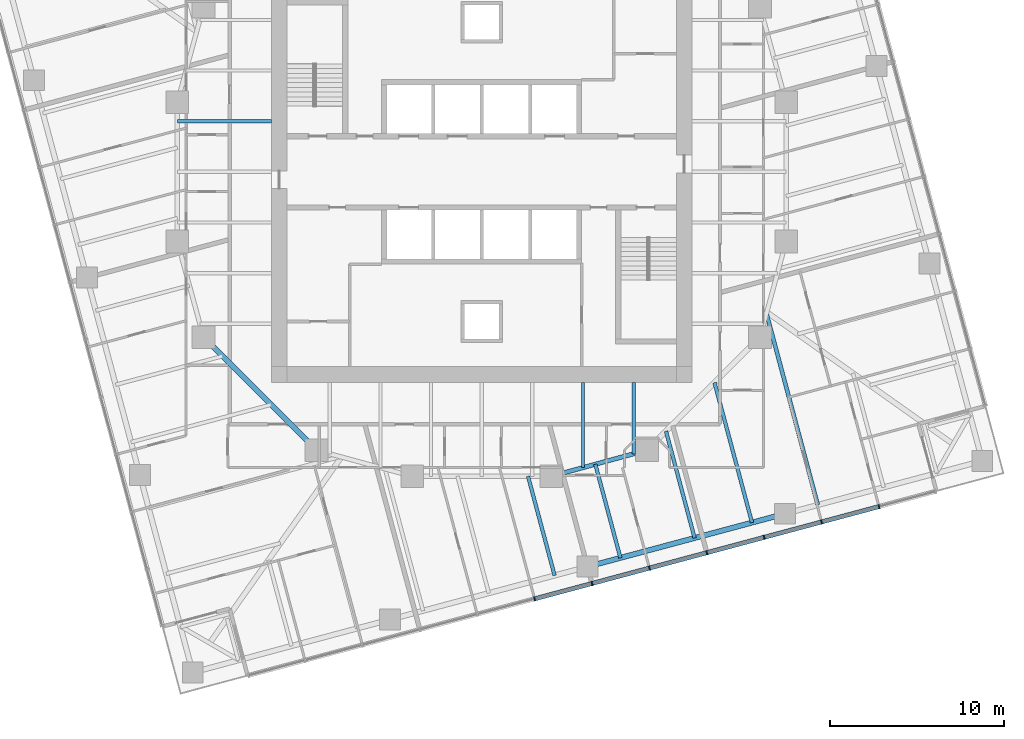
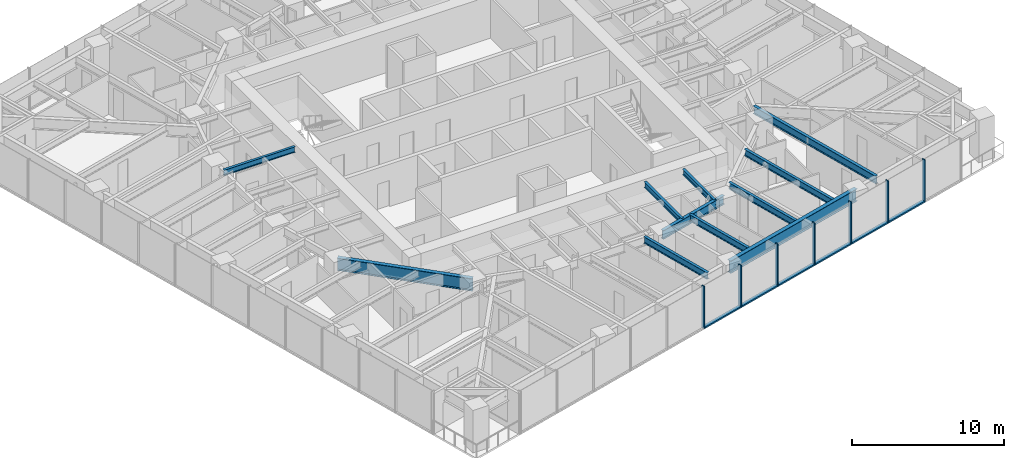
# One storey, part 3 of 14: 13 members, 11 beams, 1 element without a shape of its own.
"""IFC4 building model written with IfcOpenShell, lengths in metres."""

from ifc_helpers import new_model, si_unit, direction, frame, origin, origin_2d, place, context, subcontext, project, spatial, rectangle, i_section, extrude, material, material_profile, profile_set, type_object, element, aggregate, save


model = new_model("IFC4")

# Units and contexts
model_context = context("Model", 3, precision=1e-05, world=origin(), true_north=direction((0.0, 1.0)))
body_context = subcontext(model_context, "Body", "Model", "MODEL_VIEW")
ifc_project = project(units=[si_unit("LENGTHUNIT", "METRE"), si_unit("AREAUNIT", "SQUARE_METRE"), si_unit("VOLUMEUNIT", "CUBIC_METRE"), si_unit("PLANEANGLEUNIT", "RADIAN"), si_unit("MASSUNIT", "GRAM", prefix="KILO")], contexts=[model_context])

# Site, building, storey
site_placement = place(None, origin())
site = spatial("IfcSite", under=ifc_project, at=site_placement, CompositionType="ELEMENT")
building_placement = place(site_placement, origin())
building = spatial("IfcBuilding", under=site, at=building_placement, Name="Torsade Residences", CompositionType="ELEMENT")
storey_placement = place(building_placement, frame((0.0, 0.0, 128.60009765625)))
storey = spatial("IfcBuildingStorey", under=building, at=storey_placement, Name="L35", CompositionType="ELEMENT", Elevation=128.60009765625)

# Beams
ifc_material_1 = material(Name="Steel grade 300", Category="steel")
ifc_material_profile_1 = material_profile(ifc_material_1, i_section(OverallWidth=0.300048828125, OverallDepth=1.0, WebThickness=0.01611328125, FlangeThickness=0.028076171875, at=origin_2d()), Name="1000WB215")
ifc_profile_set_1 = profile_set([ifc_material_profile_1], Name="Steel grade 300")
beam_type_1 = type_object("IfcBeamType", Name="EDGE BEAM 1000WB215", PredefinedType="SPANDREL", material=ifc_profile_set_1)
beam_1_placement = place(storey_placement, frame((46.082275390625, 7.30078125, 2.75), z_axis=(0.965928018634, 0.258810863021, 0.0), x_axis=(-0.258810863021, 0.965928018634, 0.0)))
element("IfcBeam", 1, at=beam_1_placement, inside=storey, type_object=beam_type_1, Name="Edge beam 03 L36", PredefinedType="SPANDREL", context=body_context, shape_type="SweptSolid", body=[
    extrude(i_section(OverallWidth=0.300048828125, OverallDepth=1.0, WebThickness=0.01611328125, FlangeThickness=0.028076171875, at=origin_2d()), origin(), (0.0, 0.0, 1.0), 11.75),
])
ifc_material_2 = material(Name="Steel grade 300", Category="steel")
ifc_material_profile_2 = material_profile(ifc_material_2, i_section(OverallWidth=0.18994140625, OverallDepth=0.4541015625, WebThickness=0.008544921875, FlangeThickness=0.0126953125, FilletRadius=0.011474609375, at=origin_2d()), Name="460UB67.1")
ifc_profile_set_2 = profile_set([ifc_material_profile_2], Name="Steel grade 300")
beam_type_2 = type_object("IfcBeamType", Name="INNER FLOOR BEAM 460UB67.1", PredefinedType="JOIST", material=ifc_profile_set_2)
beam_2_placement = place(storey_placement, frame((48.737548828125, 17.89990234375, 3.02294921875), z_axis=(0.0, -1.0, 0.0), x_axis=(1.0, 0.0, 0.0)))
element("IfcBeam", 2, at=beam_2_placement, inside=storey, type_object=beam_type_2, Name="Inner floor beam IS01 L36", PredefinedType="JOIST", context=body_context, shape_type="SweptSolid", body=[
    extrude(i_section(OverallWidth=0.18994140625, OverallDepth=0.4541015625, WebThickness=0.008544921875, FlangeThickness=0.0126953125, FilletRadius=0.011474609375, at=origin_2d()), origin(), (0.0, 0.0, 1.0), 4.10791015625),
])
beam_3_placement = place(storey_placement, frame((45.824951171875, 17.89990234375, 3.02294921875), z_axis=(0.0, -1.0, 0.0), x_axis=(1.0, 0.0, 0.0)))
element("IfcBeam", 3, at=beam_3_placement, inside=storey, type_object=beam_type_2, Name="Inner floor beam IS02 L36", PredefinedType="JOIST", context=body_context, shape_type="SweptSolid", body=[
    extrude(i_section(OverallWidth=0.18994140625, OverallDepth=0.4541015625, WebThickness=0.008544921875, FlangeThickness=0.0126953125, FilletRadius=0.011474609375, at=origin_2d()), origin(), (0.0, 0.0, 1.0), 4.902099609375),
])
beam_4_placement = place(storey_placement, frame((27.89990234375, 32.91259765625, 3.02294921875), z_axis=(-1.0, 0.0, 0.0), x_axis=(0.0, -1.0, 0.0)))
element("IfcBeam", 4, at=beam_4_placement, inside=storey, type_object=beam_type_2, Name="Inner floor beam IW03 L36", PredefinedType="JOIST", context=body_context, shape_type="SweptSolid", body=[
    extrude(i_section(OverallWidth=0.18994140625, OverallDepth=0.4541015625, WebThickness=0.008544921875, FlangeThickness=0.0126953125, FilletRadius=0.011474609375, at=origin_2d()), origin(), (0.0, 0.0, 1.0), 5.39990234375),
])

# Curtain wall, members
ifc_material_3 = material(Name="Aluminium and glass", Category="aluminium")
curtain_wall_type = type_object("IfcCurtainWallType", Name="FRITTED GLASS CURTAIN WALL MID ZONE", PredefinedType="NOTDEFINED", material=ifc_material_3)
curtain_wall_placement = place(storey_placement, origin())
curtain_wall = element("IfcCurtainWall", 5, at=curtain_wall_placement, inside=storey, type_object=curtain_wall_type, Name="Curtain wall L35 face 1", PredefinedType="NOTDEFINED")
ifc_material_4 = material(Name="Aluminium mullion", Category="aluminium")
ifc_material_profile_3 = material_profile(ifc_material_4, rectangle(XDim=0.25, YDim=0.080078125, at=origin_2d()), Name="MID ZONE CURTAIN WALL MULLION 250x80")
ifc_profile_set_3 = profile_set([ifc_material_profile_3], Name="Aluminium mullion")
member_type_1 = type_object("IfcMemberType", Name="MID ZONE CURTAIN WALL MULLION 250x80", PredefinedType="MULLION", material=ifc_profile_set_3)
member_1_placement = place(storey_placement, frame((43.040771484375, 5.450439453125, 0.0), z_axis=(0.0, 0.0, 1.0), x_axis=(-0.258819047783, 0.965925825571, 0.0)))
member_1 = element("IfcMember", 6, at=member_1_placement, type_object=member_type_1, Name="Mullion 6", PredefinedType="MULLION", context=body_context, shape_type="SweptSolid", body=[
    extrude(rectangle(XDim=0.25, YDim=0.080078125, at=origin_2d()), origin(), (0.0, 0.0, 1.0), 3.39990234375),
])
member_2_placement = place(storey_placement, frame((46.341064453125, 6.334716796875, 0.0), z_axis=(0.0, 0.0, 1.0), x_axis=(-0.258819047783, 0.965925825571, 0.0)))
member_2 = element("IfcMember", 7, at=member_2_placement, type_object=member_type_1, Name="Mullion 7", PredefinedType="MULLION", context=body_context, shape_type="SweptSolid", body=[
    extrude(rectangle(XDim=0.25, YDim=0.080078125, at=origin_2d()), origin(), (0.0, 0.0, 1.0), 3.39990234375),
])
member_3_placement = place(storey_placement, frame((49.641357421875, 7.218994140625, 0.0), z_axis=(0.0, 0.0, 1.0), x_axis=(-0.258819047783, 0.965925825571, 0.0)))
member_3 = element("IfcMember", 8, at=member_3_placement, type_object=member_type_1, Name="Mullion 8", PredefinedType="MULLION", context=body_context, shape_type="SweptSolid", body=[
    extrude(rectangle(XDim=0.25, YDim=0.080078125, at=origin_2d()), origin(), (0.0, 0.0, 1.0), 3.39990234375),
])
member_4_placement = place(storey_placement, frame((52.941650390625, 8.103515625, 0.0), z_axis=(0.0, 0.0, 1.0), x_axis=(-0.258819047783, 0.965925825571, 0.0)))
member_4 = element("IfcMember", 9, at=member_4_placement, type_object=member_type_1, Name="Mullion 9", PredefinedType="MULLION", context=body_context, shape_type="SweptSolid", body=[
    extrude(rectangle(XDim=0.25, YDim=0.080078125, at=origin_2d()), origin(), (0.0, 0.0, 1.0), 3.39990234375),
])
member_5_placement = place(storey_placement, frame((56.24169921875, 8.98779296875, 0.0), z_axis=(0.0, 0.0, 1.0), x_axis=(-0.258819047783, 0.965925825571, 0.0)))
member_5 = element("IfcMember", 10, at=member_5_placement, type_object=member_type_1, Name="Mullion 10", PredefinedType="MULLION", context=body_context, shape_type="SweptSolid", body=[
    extrude(rectangle(XDim=0.25, YDim=0.080078125, at=origin_2d()), origin(), (0.0, 0.0, 1.0), 3.39990234375),
])
member_6_placement = place(storey_placement, frame((59.5419921875, 9.8720703125, 0.0), z_axis=(0.0, 0.0, 1.0), x_axis=(-0.258819047783, 0.965925825571, 0.0)))
member_6 = element("IfcMember", 11, at=member_6_placement, type_object=member_type_1, Name="Mullion 11", PredefinedType="MULLION", context=body_context, shape_type="SweptSolid", body=[
    extrude(rectangle(XDim=0.25, YDim=0.080078125, at=origin_2d()), origin(), (0.0, 0.0, 1.0), 3.39990234375),
])
member_7_placement = place(storey_placement, frame((62.84228515625, 10.75634765625, 0.0), z_axis=(0.0, 0.0, 1.0), x_axis=(-0.258819047783, 0.965925825571, 0.0)))
member_7 = element("IfcMember", 12, at=member_7_placement, type_object=member_type_1, Name="Mullion 12", PredefinedType="MULLION", context=body_context, shape_type="SweptSolid", body=[
    extrude(rectangle(XDim=0.25, YDim=0.080078125, at=origin_2d()), origin(), (0.0, 0.0, 1.0), 3.39990234375),
])
ifc_material_5 = material(Name="Aluminium transom", Category="aluminium")
ifc_material_profile_4 = material_profile(ifc_material_5, rectangle(XDim=0.25, YDim=0.110107421875, at=origin_2d()), Name="MID ZONE CURTAIN WALL TRANSOM 250x110")
ifc_profile_set_4 = profile_set([ifc_material_profile_4], Name="Aluminium transom")
member_type_2 = type_object("IfcMemberType", Name="MID ZONE CURTAIN WALL TRANSOM 250x110", PredefinedType="USERDEFINED", material=ifc_profile_set_4)
member_8_placement = place(storey_placement, frame((43.079345703125, 5.4609375, 0.054931640625), z_axis=(0.965934335648, 0.258787285653, 0.0), x_axis=(-0.258787285653, 0.965934335648, 0.0)))
member_8 = element("IfcMember", 13, at=member_8_placement, type_object=member_type_2, Name="Transom 6.1", ObjectType="TRANSOM", PredefinedType="USERDEFINED", context=body_context, shape_type="SweptSolid", body=[
    extrude(rectangle(XDim=0.25, YDim=0.110107421875, at=origin_2d()), origin(), (0.0, 0.0, 1.0), 3.3369140625),
])
member_9_placement = place(storey_placement, frame((46.379638671875, 6.34521484375, 0.054931640625), z_axis=(0.965934335648, 0.258787285653, 0.0), x_axis=(-0.258787285653, 0.965934335648, 0.0)))
member_9 = element("IfcMember", 14, at=member_9_placement, type_object=member_type_2, Name="Transom 7.1", ObjectType="TRANSOM", PredefinedType="USERDEFINED", context=body_context, shape_type="SweptSolid", body=[
    extrude(rectangle(XDim=0.25, YDim=0.110107421875, at=origin_2d()), origin(), (0.0, 0.0, 1.0), 3.3369140625),
])
member_10_placement = place(storey_placement, frame((49.679931640625, 7.2294921875, 0.054931640625), z_axis=(0.965929435155, 0.258805576255, 0.0), x_axis=(-0.258805576255, 0.965929435155, 0.0)))
member_10 = element("IfcMember", 15, at=member_10_placement, type_object=member_type_2, Name="Transom 8.1", ObjectType="TRANSOM", PredefinedType="USERDEFINED", context=body_context, shape_type="SweptSolid", body=[
    extrude(rectangle(XDim=0.25, YDim=0.110107421875, at=origin_2d()), origin(), (0.0, 0.0, 1.0), 3.336669921875),
])
member_11_placement = place(storey_placement, frame((52.980224609375, 8.11376953125, 0.054931640625), z_axis=(0.965929435155, 0.258805576255, 0.0), x_axis=(-0.258805576255, 0.965929435155, 0.0)))
member_11 = element("IfcMember", 16, at=member_11_placement, type_object=member_type_2, Name="Transom 9.1", ObjectType="TRANSOM", PredefinedType="USERDEFINED", context=body_context, shape_type="SweptSolid", body=[
    extrude(rectangle(XDim=0.25, YDim=0.110107421875, at=origin_2d()), origin(), (0.0, 0.0, 1.0), 3.336669921875),
])
member_12_placement = place(storey_placement, frame((56.280517578125, 8.998046875, 0.054931640625), z_axis=(0.965929435155, 0.258805576255, 0.0), x_axis=(-0.258805576255, 0.965929435155, 0.0)))
member_12 = element("IfcMember", 17, at=member_12_placement, type_object=member_type_2, Name="Transom 10.1", ObjectType="TRANSOM", PredefinedType="USERDEFINED", context=body_context, shape_type="SweptSolid", body=[
    extrude(rectangle(XDim=0.25, YDim=0.110107421875, at=origin_2d()), origin(), (0.0, 0.0, 1.0), 3.336669921875),
])
member_13_placement = place(storey_placement, frame((59.580810546875, 9.88232421875, 0.054931640625), z_axis=(0.965929435155, 0.258805576255, 0.0), x_axis=(-0.258805576255, 0.965929435155, 0.0)))
member_13 = element("IfcMember", 18, at=member_13_placement, type_object=member_type_2, Name="Transom 11.1", ObjectType="TRANSOM", PredefinedType="USERDEFINED", context=body_context, shape_type="SweptSolid", body=[
    extrude(rectangle(XDim=0.25, YDim=0.110107421875, at=origin_2d()), origin(), (0.0, 0.0, 1.0), 3.336669921875),
])
aggregate(curtain_wall, [member_1, member_2, member_3, member_4, member_5, member_6, member_7, member_8, member_9, member_10, member_11, member_12, member_13])

# Beams
ifc_material_6 = material(Name="Steel grade 300", Category="steel")
ifc_material_profile_5 = material_profile(ifc_material_6, i_section(OverallWidth=0.300048828125, OverallDepth=1.0, WebThickness=0.01611328125, FlangeThickness=0.028076171875, at=origin_2d()), Name="1000WB215")
ifc_profile_set_5 = profile_set([ifc_material_profile_5], Name="Steel grade 300")
beam_type_3 = type_object("IfcBeamType", Name="RING CORNER GIRDER 1000WB215", PredefinedType="BEAM", material=ifc_profile_set_5)
beam_5_placement = place(storey_placement, frame((24.0, 20.5, 2.75), z_axis=(0.707106781187, -0.707106781187, 0.0), x_axis=(0.707106781187, 0.707106781187, 0.0)))
element("IfcBeam", 19, at=beam_5_placement, inside=storey, type_object=beam_type_3, Name="Ring girder IR11 L36", PredefinedType="BEAM", context=body_context, shape_type="SweptSolid", body=[
    extrude(i_section(OverallWidth=0.300048828125, OverallDepth=1.0, WebThickness=0.01611328125, FlangeThickness=0.028076171875, at=origin_2d()), origin(), (0.0, 0.0, 1.0), 9.1923828125),
])
ifc_material_7 = material(Name="Steel grade 300", Category="steel")
ifc_material_profile_6 = material_profile(ifc_material_7, i_section(OverallWidth=0.25, OverallDepth=0.699951171875, WebThickness=0.010009765625, FlangeThickness=0.02001953125, at=origin_2d()), Name="700WB130")
ifc_profile_set_6 = profile_set([ifc_material_profile_6], Name="Steel grade 300")
beam_type_4 = type_object("IfcBeamType", Name="RING GIRDER 700WB130", PredefinedType="BEAM", material=ifc_profile_set_6)
beam_6_placement = place(storey_placement, frame((44.0, 12.5, 2.89990234375), z_axis=(0.964763821238, 0.263117405792, 0.0), x_axis=(-0.263117405792, 0.964763821238, 0.0)))
element("IfcBeam", 20, at=beam_6_placement, inside=storey, type_object=beam_type_4, Name="Ring girder IR14 L36", PredefinedType="BEAM", context=body_context, shape_type="SweptSolid", body=[
    extrude(i_section(OverallWidth=0.25, OverallDepth=0.699951171875, WebThickness=0.010009765625, FlangeThickness=0.02001953125, at=origin_2d()), origin(), (0.0, 0.0, 1.0), 5.700927734375),
])
ifc_material_8 = material(Name="Steel grade 300", Category="steel")
ifc_material_profile_7 = material_profile(ifc_material_8, i_section(OverallWidth=0.208984375, OverallDepth=0.528076171875, WebThickness=0.009521484375, FlangeThickness=0.01318359375, FilletRadius=0.013916015625, at=origin_2d()), Name="530UB82.0")
ifc_profile_set_7 = profile_set([ifc_material_profile_7], Name="Steel grade 300")
beam_type_5 = type_object("IfcBeamType", Name="SECONDARY BEAM 530UB82.0", PredefinedType="JOIST", material=ifc_profile_set_7)
beam_7_placement = place(storey_placement, frame((44.190673828125, 6.7939453125, 2.98583984375), z_axis=(-0.258837996141, 0.965920748174, 0.0), x_axis=(-0.965920748174, -0.258837996141, 0.0)))
element("IfcBeam", 21, at=beam_7_placement, inside=storey, type_object=beam_type_5, Name="Floor beam FS06 L36", PredefinedType="JOIST", context=body_context, shape_type="SweptSolid", body=[
    extrude(i_section(OverallWidth=0.208984375, OverallDepth=0.528076171875, WebThickness=0.009521484375, FlangeThickness=0.01318359375, FilletRadius=0.013916015625, at=origin_2d()), origin(), (0.0, 0.0, 1.0), 5.907470703125),
])
beam_8_placement = place(storey_placement, frame((47.973876953125, 7.8076171875, 2.98583984375), z_axis=(-0.258829517553, 0.965923020144, 0.0), x_axis=(-0.965923020144, -0.258829517553, 0.0)))
element("IfcBeam", 22, at=beam_8_placement, inside=storey, type_object=beam_type_5, Name="Floor beam FS07 L36", PredefinedType="JOIST", context=body_context, shape_type="SweptSolid", body=[
    extrude(i_section(OverallWidth=0.208984375, OverallDepth=0.528076171875, WebThickness=0.009521484375, FlangeThickness=0.01318359375, FilletRadius=0.013916015625, at=origin_2d()), origin(), (0.0, 0.0, 1.0), 5.57275390625),
])
beam_9_placement = place(storey_placement, frame((52.239990234375, 8.95068359375, 2.98583984375), z_axis=(-0.258804520856, 0.965929717932, 0.0), x_axis=(-0.965929717932, -0.258804520856, 0.0)))
element("IfcBeam", 23, at=beam_9_placement, inside=storey, type_object=beam_type_5, Name="Floor beam FS08 L36", PredefinedType="JOIST", context=body_context, shape_type="SweptSolid", body=[
    extrude(i_section(OverallWidth=0.208984375, OverallDepth=0.528076171875, WebThickness=0.009521484375, FlangeThickness=0.01318359375, FilletRadius=0.013916015625, at=origin_2d()), origin(), (0.0, 0.0, 1.0), 6.360107421875),
])
beam_10_placement = place(storey_placement, frame((55.540283203125, 9.8349609375, 2.98583984375), z_axis=(-0.258833232221, 0.96592202475, 0.0), x_axis=(-0.96592202475, -0.258833232221, 0.0)))
element("IfcBeam", 24, at=beam_10_placement, inside=storey, type_object=beam_type_5, Name="Floor beam FS09 L36", PredefinedType="JOIST", context=body_context, shape_type="SweptSolid", body=[
    extrude(i_section(OverallWidth=0.208984375, OverallDepth=0.528076171875, WebThickness=0.009521484375, FlangeThickness=0.01318359375, FilletRadius=0.013916015625, at=origin_2d()), origin(), (0.0, 0.0, 1.0), 8.33251953125),
])
ifc_material_9 = material(Name="Steel grade 300", Category="steel")
ifc_material_profile_8 = material_profile(ifc_material_9, i_section(OverallWidth=0.22900390625, OverallDepth=0.612060546875, WebThickness=0.011962890625, FlangeThickness=0.01953125, FilletRadius=0.013916015625, at=origin_2d()), Name="610UB125")
ifc_profile_set_8 = profile_set([ifc_material_profile_8], Name="Steel grade 300")
beam_type_6 = type_object("IfcBeamType", Name="SECONDARY BEAM 610UB125", PredefinedType="JOIST", material=ifc_profile_set_8)
beam_11_placement = place(storey_placement, frame((59.323486328125, 10.8486328125, 2.94384765625), z_axis=(-0.258807068179, 0.965929035417, 0.0), x_axis=(-0.965929035417, -0.258807068179, 0.0)))
element("IfcBeam", 25, at=beam_11_placement, inside=storey, type_object=beam_type_6, Name="Floor beam FS10 L36", PredefinedType="JOIST", context=body_context, shape_type="SweptSolid", body=[
    extrude(i_section(OverallWidth=0.22900390625, OverallDepth=0.612060546875, WebThickness=0.011962890625, FlangeThickness=0.01953125, FilletRadius=0.013916015625, at=origin_2d()), origin(), (0.0, 0.0, 1.0), 11.40380859375),
])

save(model, "model.ifc")
